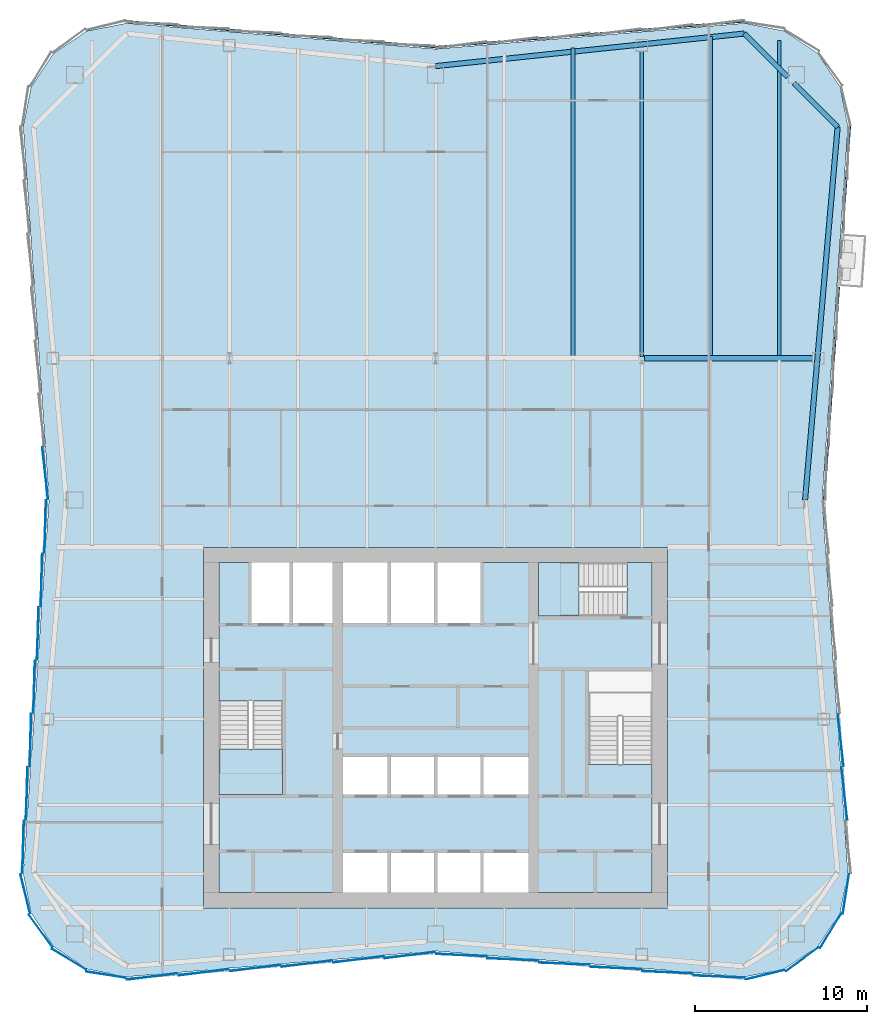
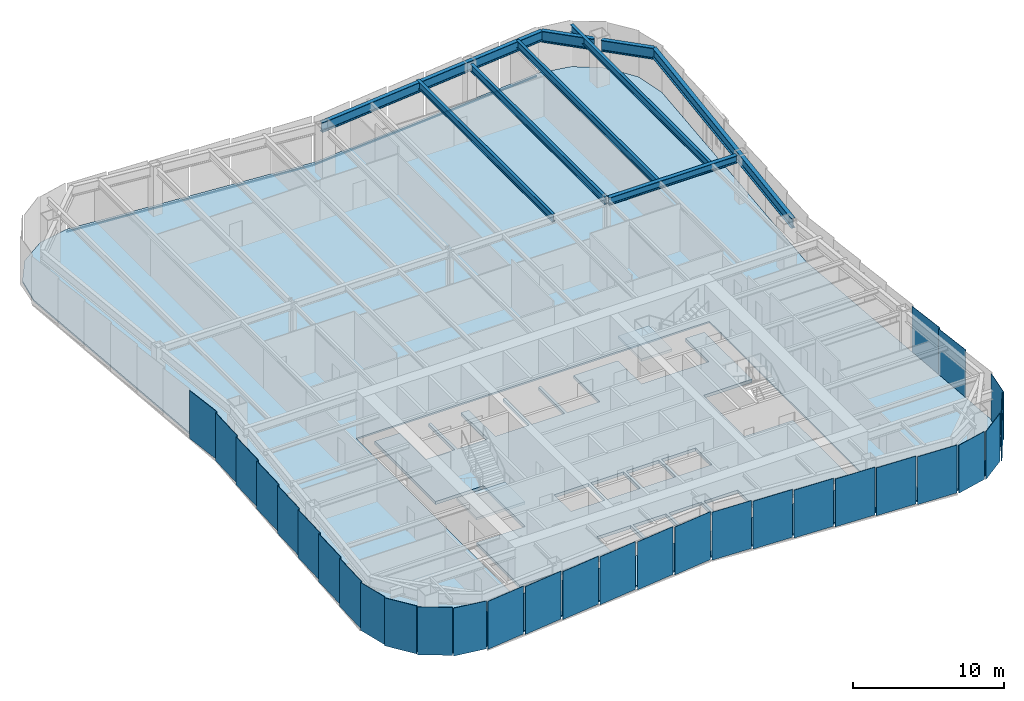
# One storey, part 3 of 10: 30 plates, 9 beams, 4 members, 4 slabs, 8 elements without a shape of their own.
"""IFC4 building model written with IfcOpenShell, lengths in metres."""

from ifc_helpers import new_model, si_unit, direction, frame, origin, origin_2d, place, context, subcontext, project, spatial, polyline, rectangle, i_section, outline, extrude, material, layer, layer_set, material_profile, profile_set, type_object, element, aggregate, save


model = new_model("IFC4")

# Units and contexts
model_context = context("Model", 3, precision=1e-05, world=origin(), true_north=direction((0.0, 1.0)))
body_context = subcontext(model_context, "Body", "Model", "MODEL_VIEW")
ifc_project = project(units=[si_unit("LENGTHUNIT", "METRE"), si_unit("AREAUNIT", "SQUARE_METRE"), si_unit("VOLUMEUNIT", "CUBIC_METRE"), si_unit("PLANEANGLEUNIT", "RADIAN"), si_unit("MASSUNIT", "GRAM", prefix="KILO")], contexts=[model_context])

# Site, building, storey
site_placement = place(None, origin())
site = spatial("IfcSite", under=ifc_project, at=site_placement, CompositionType="ELEMENT")
building_placement = place(site_placement, origin())
building = spatial("IfcBuilding", under=site, at=building_placement, Name="Verdant Reach Tower", CompositionType="ELEMENT")
storey_placement = place(building_placement, frame((0.0, 0.0, 210.0)))
storey = spatial("IfcBuildingStorey", under=building, at=storey_placement, Name="L48", CompositionType="ELEMENT", Elevation=210.0)

# Curtain wall, members
ifc_material_1 = material(Name="Anodised aluminium", Category="aluminium")
curtain_wall_type = type_object("IfcCurtainWallType", Name="EN-CW SYSTEM Z3", PredefinedType="NOTDEFINED", material=ifc_material_1)
curtain_wall_1_placement = place(storey_placement, origin())
curtain_wall_1 = element("IfcCurtainWall", 1, at=curtain_wall_1_placement, inside=storey, type_object=curtain_wall_type, Name="Curtain wall east, L48", PredefinedType="NOTDEFINED")
ifc_material_profile_1 = material_profile(ifc_material_1, rectangle(XDim=0.10009765625, YDim=0.1259765625, at=origin_2d()), Name="Transom 126x100")
ifc_profile_set_1 = profile_set([ifc_material_profile_1], Name="Anodised aluminium")
member_type = type_object("IfcMemberType", Name="EN-TRANSOM Z3", PredefinedType="USERDEFINED", material=ifc_profile_set_1)
member_1_placement = place(storey_placement, frame((22.611328125, 41.282958984375, -0.287109375), z_axis=(0.068819005353, 0.997629161814, 0.0), x_axis=(-0.997629161814, 0.068819005353, 0.0)))
member_1 = element("IfcMember", 2, at=member_1_placement, type_object=member_type, Name="Transom east face part 2 1.1, L48", ObjectType="TRANSOM", PredefinedType="USERDEFINED", context=body_context, shape_type="SweptSolid", body=[
    extrude(rectangle(XDim=0.10009765625, YDim=0.1259765625, at=origin_2d()), origin(), (0.0, 0.0, 1.0), 12.384521484375),
])
member_2_placement = place(storey_placement, frame((23.682373046875, 56.81103515625, -0.287109375), z_axis=(0.068646115672, 0.997641073134, 0.0), x_axis=(-0.997641073134, 0.068646115672, 0.0)))
member_2 = element("IfcMember", 3, at=member_2_placement, type_object=member_type, Name="Transom east face part 2 2.1, L48", ObjectType="TRANSOM", PredefinedType="USERDEFINED", context=body_context, shape_type="SweptSolid", body=[
    extrude(rectangle(XDim=0.10009765625, YDim=0.1259765625, at=origin_2d()), origin(), (0.0, 0.0, 1.0), 6.177734375),
])

curtain_wall_2_placement = place(storey_placement, origin())
curtain_wall_2 = element("IfcCurtainWall", 4, at=curtain_wall_2_placement, inside=storey, type_object=curtain_wall_type, Name="Curtain wall north, L48", PredefinedType="NOTDEFINED")
member_3_placement = place(storey_placement, frame((17.973388671875, 69.106201171875, -0.287109375), z_axis=(-0.996548750467, -0.083009565369, 0.0), x_axis=(0.083009565369, -0.996548750467, 0.0)))
member_3 = element("IfcMember", 5, at=member_3_placement, type_object=member_type, Name="Transom north face part 1 1.1, L48", ObjectType="TRANSOM", PredefinedType="USERDEFINED", context=body_context, shape_type="SweptSolid", body=[
    extrude(rectangle(XDim=0.10009765625, YDim=0.1259765625, at=origin_2d()), origin(), (0.0, 0.0, 1.0), 18.00244140625),
])
member_4_placement = place(storey_placement, frame((-0.032958984375, 67.61181640625, -0.287109375), z_axis=(-0.996548750467, 0.083009565369, 0.0), x_axis=(-0.083009565369, -0.996548750467, 0.0)))
member_4 = element("IfcMember", 6, at=member_4_placement, type_object=member_type, Name="Transom north face part 2 1.1, L48", ObjectType="TRANSOM", PredefinedType="USERDEFINED", context=body_context, shape_type="SweptSolid", body=[
    extrude(rectangle(XDim=0.10009765625, YDim=0.1259765625, at=origin_2d()), origin(), (0.0, 0.0, 1.0), 18.00244140625),
])
aggregate(curtain_wall_2, [member_3, member_4])

# Beams
ifc_material_2 = material(Name="Steel S355", Category="steel")
ifc_material_profile_2 = material_profile(ifc_material_2, i_section(OverallWidth=0.300048828125, OverallDepth=0.60009765625, WebThickness=0.015380859375, FlangeThickness=0.030029296875, FilletRadius=0.027099609375, at=origin_2d()), Name="HEB 600")
ifc_profile_set_2 = profile_set([ifc_material_profile_2], Name="Steel S355")
beam_type_1 = type_object("IfcBeamType", Name="ST-BEAM-HEB600", PredefinedType="BEAM", material=ifc_profile_set_2)
beam_1_placement = place(storey_placement, frame((12.152587890625, 49.5, 3.570068359375), z_axis=(1.0, 0.0, 0.0), x_axis=(0.0, 1.0, 0.0)))
element("IfcBeam", 7, at=beam_1_placement, inside=storey, type_object=beam_type_1, Name="Row girder, L48", PredefinedType="BEAM", context=body_context, shape_type="SweptSolid", body=[
    extrude(i_section(OverallWidth=0.300048828125, OverallDepth=0.60009765625, WebThickness=0.015380859375, FlangeThickness=0.030029296875, FilletRadius=0.027099609375, at=origin_2d()), origin(), (0.0, 0.0, 1.0), 9.766357421875),
])
ifc_material_profile_3 = material_profile(ifc_material_2, i_section(OverallWidth=0.219970703125, OverallDepth=0.60009765625, WebThickness=0.011962890625, FlangeThickness=0.01904296875, FilletRadius=0.02392578125, at=origin_2d()), Name="IPE 600")
ifc_profile_set_3 = profile_set([ifc_material_profile_3], Name="Steel S355")
beam_type_2 = type_object("IfcBeamType", Name="ST-JOIST-IPE600", PredefinedType="JOIST", material=ifc_profile_set_3)
beam_2_placement = place(storey_placement, frame((8.0, 49.60009765625, 3.570068359375), z_axis=(0.0, 1.0, 0.0), x_axis=(-1.0, 0.0, 0.0)))
element("IfcBeam", 8, at=beam_2_placement, inside=storey, type_object=beam_type_2, Name="Floor joist, L48", PredefinedType="JOIST", context=body_context, shape_type="SweptSolid", body=[
    extrude(i_section(OverallWidth=0.219970703125, OverallDepth=0.60009765625, WebThickness=0.011962890625, FlangeThickness=0.01904296875, FilletRadius=0.02392578125, at=origin_2d()), origin(), (0.0, 0.0, 1.0), 17.964599609375),
])
beam_3_placement = place(storey_placement, frame((12.0, 49.60009765625, 3.570068359375), z_axis=(0.0, 1.0, 0.0), x_axis=(-1.0, 0.0, 0.0)))
element("IfcBeam", 9, at=beam_3_placement, inside=storey, type_object=beam_type_2, Name="Floor joist, L48", PredefinedType="JOIST", context=body_context, shape_type="SweptSolid", body=[
    extrude(i_section(OverallWidth=0.219970703125, OverallDepth=0.60009765625, WebThickness=0.011962890625, FlangeThickness=0.01904296875, FilletRadius=0.02392578125, at=origin_2d()), origin(), (0.0, 0.0, 1.0), 17.75),
])
beam_4_placement = place(storey_placement, frame((16.0, 49.60009765625, 3.570068359375), z_axis=(0.0, 1.0, 0.0), x_axis=(-1.0, 0.0, 0.0)))
element("IfcBeam", 10, at=beam_4_placement, inside=storey, type_object=beam_type_2, Name="Floor joist, L48", PredefinedType="JOIST", context=body_context, shape_type="SweptSolid", body=[
    extrude(i_section(OverallWidth=0.219970703125, OverallDepth=0.60009765625, WebThickness=0.011962890625, FlangeThickness=0.01904296875, FilletRadius=0.02392578125, at=origin_2d()), origin(), (0.0, 0.0, 1.0), 18.631103515625),
])
beam_5_placement = place(storey_placement, frame((20.0, 49.60009765625, 3.570068359375), z_axis=(0.0, 1.0, 0.0), x_axis=(-1.0, 0.0, 0.0)))
element("IfcBeam", 11, at=beam_5_placement, inside=storey, type_object=beam_type_2, Name="Floor joist, L48", PredefinedType="JOIST", context=body_context, shape_type="SweptSolid", body=[
    extrude(i_section(OverallWidth=0.219970703125, OverallDepth=0.60009765625, WebThickness=0.011962890625, FlangeThickness=0.01904296875, FilletRadius=0.02392578125, at=origin_2d()), origin(), (0.0, 0.0, 1.0), 18.390380859375),
])
ifc_material_profile_4 = material_profile(ifc_material_2, i_section(OverallWidth=0.300048828125, OverallDepth=0.800048828125, WebThickness=0.017578125, FlangeThickness=0.032958984375, FilletRadius=0.030029296875, at=origin_2d()), Name="HEB 800")
ifc_profile_set_4 = profile_set([ifc_material_profile_4], Name="Steel S355")
beam_type_3 = type_object("IfcBeamType", Name="ST-SPANDREL-HEB800", PredefinedType="SPANDREL", material=ifc_profile_set_4)
beam_6_placement = place(storey_placement, frame((0.0, 66.5, 3.469970703125), z_axis=(0.994483067002, 0.104897232783, 0.0), x_axis=(-0.104897232783, 0.994483067002, 0.0)))
element("IfcBeam", 12, at=beam_6_placement, inside=storey, type_object=beam_type_3, Name="Edge beam, L48", PredefinedType="SPANDREL", context=body_context, shape_type="SweptSolid", body=[
    extrude(i_section(OverallWidth=0.300048828125, OverallDepth=0.800048828125, WebThickness=0.017578125, FlangeThickness=0.032958984375, FilletRadius=0.030029296875, at=origin_2d()), origin(), (0.0, 0.0, 1.0), 18.0654296875),
])
beam_7_placement = place(storey_placement, frame((23.39599609375, 62.96142578125, 3.469970703125), z_axis=(-0.086996024331, -0.996208658741, 0.0), x_axis=(0.996208658741, -0.086996024331, 0.0)))
element("IfcBeam", 13, at=beam_7_placement, inside=storey, type_object=beam_type_3, Name="Edge beam, L48", PredefinedType="SPANDREL", context=body_context, shape_type="SweptSolid", body=[
    extrude(i_section(OverallWidth=0.300048828125, OverallDepth=0.800048828125, WebThickness=0.017578125, FlangeThickness=0.032958984375, FilletRadius=0.030029296875, at=origin_2d()), origin(), (0.0, 0.0, 1.0), 21.7939453125),
])
ifc_material_profile_5 = material_profile(ifc_material_2, i_section(OverallWidth=0.302001953125, OverallDepth=0.909912109375, WebThickness=0.02099609375, FlangeThickness=0.0400390625, FilletRadius=0.030029296875, at=origin_2d()), Name="HEM 900")
ifc_profile_set_5 = profile_set([ifc_material_profile_5], Name="Steel S355")
beam_type_4 = type_object("IfcBeamType", Name="ST-SPANDREL-HEM900", PredefinedType="SPANDREL", material=ifc_profile_set_5)
beam_8_placement = place(storey_placement, frame((17.9658203125, 68.39501953125, 3.4150390625), z_axis=(0.706868394255, -0.707345087777, 0.0), x_axis=(0.707345087777, 0.706868394255, 0.0)))
element("IfcBeam", 14, at=beam_8_placement, inside=storey, type_object=beam_type_4, Name="Edge beam, L48", PredefinedType="SPANDREL", context=body_context, shape_type="SweptSolid", body=[
    extrude(i_section(OverallWidth=0.302001953125, OverallDepth=0.909912109375, WebThickness=0.02099609375, FlangeThickness=0.0400390625, FilletRadius=0.030029296875, at=origin_2d()), origin(), (0.0, 0.0, 1.0), 3.5849609375),
])
beam_9_placement = place(storey_placement, frame((20.85888671875, 65.5, 3.4150390625), z_axis=(0.706902680526, -0.707310822952, 0.0), x_axis=(0.707310822952, 0.706902680526, 0.0)))
element("IfcBeam", 15, at=beam_9_placement, inside=storey, type_object=beam_type_4, Name="Edge beam, L48", PredefinedType="SPANDREL", context=body_context, shape_type="SweptSolid", body=[
    extrude(i_section(OverallWidth=0.302001953125, OverallDepth=0.909912109375, WebThickness=0.02099609375, FlangeThickness=0.0400390625, FilletRadius=0.030029296875, at=origin_2d()), origin(), (0.0, 0.0, 1.0), 3.589111328125),
])

# Stair, slab
ifc_material_3 = material(Name="Concrete C40/50", Category="concrete")
stair_type = type_object("IfcStairType", Name="CO-STAIR", PredefinedType="HALF_TURN_STAIR", material=ifc_material_3)
stair_1_placement = place(storey_placement, origin())
stair_1 = element("IfcStair", 16, at=stair_1_placement, inside=storey, type_object=stair_type, Name="L48 Exit stair 1", PredefinedType="HALF_TURN_STAIR")
ifc_layer_1 = layer(ifc_material_3, 0.199951171875)
ifc_layer_set_1 = layer_set([ifc_layer_1], Name="CO-STAIR-LANDING")
slab_type_1 = type_object("IfcSlabType", Name="CO-STAIR-LANDING", PredefinedType="LANDING", material=ifc_layer_set_1)
slab_1_placement = place(storey_placement, frame((0.0, 0.0, 1.800048828125)))
slab_1 = element("IfcSlab", 17, at=slab_1_placement, type_object=slab_type_1, Name="ST-1 landing 1", PredefinedType="LANDING", context=body_context, shape_type="SweptSolid", body=[
    extrude(outline(polyline([(-12.60009765625, 26.75), (-12.60009765625, 24.10009765625), (-8.89990234375, 24.10009765625), (-8.89990234375, 26.75), (-12.60009765625, 26.75)])), origin(), (0.0, 0.0, 1.0), 0.199951171875),
])
aggregate(stair_1, [slab_1])

stair_2_placement = place(storey_placement, origin())
stair_2 = element("IfcStair", 18, at=stair_2_placement, inside=storey, type_object=stair_type, Name="L48 Exit stair 3", PredefinedType="HALF_TURN_STAIR")
slab_2_placement = place(storey_placement, frame((0.0, 0.0, 1.800048828125)))
slab_2 = element("IfcSlab", 19, at=slab_2_placement, type_object=slab_type_1, Name="ST-3 landing 1", PredefinedType="LANDING", context=body_context, shape_type="SweptSolid", body=[
    extrude(outline(polyline([(8.35009765625, 37.60009765625), (6.0, 37.60009765625), (6.0, 34.5), (8.35009765625, 34.5), (8.35009765625, 37.60009765625)])), origin(), (0.0, 0.0, 1.0), 0.199951171875),
])
aggregate(stair_2, [slab_2])

# Curtain wall, plate
curtain_wall_3_placement = place(storey_placement, origin())
curtain_wall_3 = element("IfcCurtainWall", 20, at=curtain_wall_3_placement, inside=storey, type_object=curtain_wall_type, Name="Curtain wall south-east corner, L48", PredefinedType="NOTDEFINED")
ifc_material_4 = material(Name="Tinted glass with champagne spandrel", Category="glass")
ifc_layer_2 = layer(ifc_material_4, 0.031982421875)
ifc_layer_set_2 = layer_set([ifc_layer_2], Name="EN-PANEL CHAMPAGNE")
plate_type_1 = type_object("IfcPlateType", Name="EN-PANEL CHAMPAGNE", PredefinedType="CURTAIN_PANEL", material=ifc_layer_set_2)
plate_1_placement = place(storey_placement, frame((19.171875, 13.62353515625, -0.22412109375), z_axis=(0.0, 0.0, 1.0), x_axis=(0.971655117833, 0.236402901821, 0.0)))
plate_1 = element("IfcPlate", 21, at=plate_1_placement, type_object=plate_type_1, Name="Glass panel south-east corner 1.1, L48", PredefinedType="CURTAIN_PANEL", context=body_context, shape_type="SweptSolid", body=[
    extrude(rectangle(XDim=2.3154296875, YDim=0.031982421875, at=origin_2d()), origin(), (0.0, 0.0, 1.0), 3.8740234375),
])

# Curtain wall, plates
curtain_wall_4_placement = place(storey_placement, origin())
curtain_wall_4 = element("IfcCurtainWall", 22, at=curtain_wall_4_placement, inside=storey, type_object=curtain_wall_type, Name="Curtain wall west, L48", PredefinedType="NOTDEFINED")
plate_2_placement = place(storey_placement, frame((-23.14453125, 33.48974609375, -0.22412109375), z_axis=(0.0, 0.0, 1.0), x_axis=(-0.026965318308, -0.999636369691, 0.0)))
plate_2 = element("IfcPlate", 23, at=plate_2_placement, type_object=plate_type_1, Name="Glass panel west face part 2 3.1, L48", PredefinedType="CURTAIN_PANEL", context=body_context, shape_type="SweptSolid", body=[
    extrude(rectangle(XDim=3.052490234375, YDim=0.031982421875, at=origin_2d()), origin(), (0.0, 0.0, 1.0), 3.8740234375),
])
plate_3_placement = place(storey_placement, frame((-23.358642578125, 30.382568359375, -0.22412109375), z_axis=(0.0, 0.0, 1.0), x_axis=(-0.026965318308, -0.999636369691, 0.0)))
plate_3 = element("IfcPlate", 24, at=plate_3_placement, type_object=plate_type_1, Name="Glass panel west face part 2 4.1, L48", PredefinedType="CURTAIN_PANEL", context=body_context, shape_type="SweptSolid", body=[
    extrude(rectangle(XDim=3.052490234375, YDim=0.031982421875, at=origin_2d()), origin(), (0.0, 0.0, 1.0), 3.8740234375),
])
plate_4_placement = place(storey_placement, frame((-23.572998046875, 27.275390625, -0.22412109375), z_axis=(0.0, 0.0, 1.0), x_axis=(-0.026965318308, -0.999636369691, 0.0)))
plate_4 = element("IfcPlate", 25, at=plate_4_placement, type_object=plate_type_1, Name="Glass panel west face part 2 5.1, L48", PredefinedType="CURTAIN_PANEL", context=body_context, shape_type="SweptSolid", body=[
    extrude(rectangle(XDim=3.052490234375, YDim=0.031982421875, at=origin_2d()), origin(), (0.0, 0.0, 1.0), 3.8740234375),
])

curtain_wall_5_placement = place(storey_placement, origin())
curtain_wall_5 = element("IfcCurtainWall", 26, at=curtain_wall_5_placement, inside=storey, type_object=curtain_wall_type, Name="Curtain wall south-west corner, L48", PredefinedType="NOTDEFINED")
plate_5_placement = place(storey_placement, frame((-22.98193359375, 16.171142578125, -0.22412109375), z_axis=(0.0, 0.0, 1.0), x_axis=(0.589926747542, -0.807456768214, 0.0)))
plate_5 = element("IfcPlate", 27, at=plate_5_placement, type_object=plate_type_1, Name="Glass panel south-west corner 2.1, L48", PredefinedType="CURTAIN_PANEL", context=body_context, shape_type="SweptSolid", body=[
    extrude(rectangle(XDim=2.321533203125, YDim=0.031982421875, at=origin_2d()), origin(), (0.0, 0.0, 1.0), 3.8740234375),
])
plate_6_placement = place(storey_placement, frame((-21.328857421875, 14.51806640625, -0.22412109375), z_axis=(0.0, 0.0, 1.0), x_axis=(0.853988701636, -0.520291550457, 0.0)))
plate_6 = element("IfcPlate", 28, at=plate_6_placement, type_object=plate_type_1, Name="Glass panel south-west corner 3.1, L48", PredefinedType="CURTAIN_PANEL", context=body_context, shape_type="SweptSolid", body=[
    extrude(rectangle(XDim=2.321533203125, YDim=0.031982421875, at=origin_2d()), origin(), (0.0, 0.0, 1.0), 3.8740234375),
])

curtain_wall_6_placement = place(storey_placement, origin())
curtain_wall_6 = element("IfcCurtainWall", 29, at=curtain_wall_6_placement, inside=storey, type_object=curtain_wall_type, Name="Curtain wall south, L48", PredefinedType="NOTDEFINED")
plate_7_placement = place(storey_placement, frame((-16.49853515625, 13.516357421875, -0.22412109375), z_axis=(0.0, 0.0, 1.0), x_axis=(0.992237766434, 0.124355196363, 0.0)))
plate_7 = element("IfcPlate", 30, at=plate_7_placement, type_object=plate_type_1, Name="Glass panel south face part 1 1.1, L48", PredefinedType="CURTAIN_PANEL", context=body_context, shape_type="SweptSolid", body=[
    extrude(rectangle(XDim=2.963623046875, YDim=0.031982421875, at=origin_2d()), origin(), (0.0, 0.0, 1.0), 3.8740234375),
])
plate_8_placement = place(storey_placement, frame((1.495361328125, 14.76611328125, -0.22412109375), z_axis=(0.0, 0.0, 1.0), x_axis=(0.999144020525, -0.041366970501, 0.0)))
plate_8 = element("IfcPlate", 31, at=plate_8_placement, type_object=plate_type_1, Name="Glass panel south face part 2 1.1, L48", PredefinedType="CURTAIN_PANEL", context=body_context, shape_type="SweptSolid", body=[
    extrude(rectangle(XDim=2.939453125, YDim=0.031982421875, at=origin_2d()), origin(), (0.0, 0.0, 1.0), 3.8740234375),
])
plate_9_placement = place(storey_placement, frame((4.490966796875, 14.516357421875, -0.22412109375), z_axis=(0.0, 0.0, 1.0), x_axis=(0.999149202059, -0.041241629766, 0.0)))
plate_9 = element("IfcPlate", 32, at=plate_9_placement, type_object=plate_type_1, Name="Glass panel south face part 2 2.1, L48", PredefinedType="CURTAIN_PANEL", context=body_context, shape_type="SweptSolid", body=[
    extrude(rectangle(XDim=2.948486328125, YDim=0.031982421875, at=origin_2d()), origin(), (0.0, 0.0, 1.0), 3.8740234375),
])

# Plate
ifc_material_5 = material(Name="Tinted glass with copper spandrel", Category="glass")
ifc_layer_3 = layer(ifc_material_5, 0.031982421875)
ifc_layer_set_3 = layer_set([ifc_layer_3], Name="EN-PANEL COPPER")
plate_type_2 = type_object("IfcPlateType", Name="EN-PANEL COPPER", PredefinedType="CURTAIN_PANEL", material=ifc_layer_set_3)
plate_10_placement = place(storey_placement, frame((21.328857421875, 14.51806640625, -0.22412109375), z_axis=(0.0, 0.0, 1.0), x_axis=(0.807456768214, 0.589926747542, 0.0)))
plate_10 = element("IfcPlate", 33, at=plate_10_placement, type_object=plate_type_2, Name="Glass panel south-east corner 2.1, L48", PredefinedType="CURTAIN_PANEL", context=body_context, shape_type="SweptSolid", body=[
    extrude(rectangle(XDim=2.321533203125, YDim=0.031982421875, at=origin_2d()), origin(), (0.0, 0.0, 1.0), 3.8740234375),
])

plate_11_placement = place(storey_placement, frame((22.98193359375, 16.171142578125, -0.22412109375), z_axis=(0.0, 0.0, 1.0), x_axis=(0.520291550457, 0.853988701636, 0.0)))
plate_11 = element("IfcPlate", 34, at=plate_11_placement, type_object=plate_type_2, Name="Glass panel south-east corner 3.1, L48", PredefinedType="CURTAIN_PANEL", context=body_context, shape_type="SweptSolid", body=[
    extrude(rectangle(XDim=2.321533203125, YDim=0.031982421875, at=origin_2d()), origin(), (0.0, 0.0, 1.0), 3.8740234375),
])

plate_12_placement = place(storey_placement, frame((23.787353515625, 24.168212890625, -0.22412109375), z_axis=(0.0, 0.0, 1.0), x_axis=(-0.110518162674, 0.993874104562, 0.0)))
plate_12 = element("IfcPlate", 35, at=plate_12_placement, type_object=plate_type_2, Name="Glass panel east face part 1 2.1, L48", PredefinedType="CURTAIN_PANEL", context=body_context, shape_type="SweptSolid", body=[
    extrude(rectangle(XDim=3.052490234375, YDim=0.031982421875, at=origin_2d()), origin(), (0.0, 0.0, 1.0), 3.8740234375),
])

plate_13_placement = place(storey_placement, frame((-23.787353515625, 24.168212890625, -0.22412109375), z_axis=(0.0, 0.0, 1.0), x_axis=(-0.026965318308, -0.999636369691, 0.0)))
plate_13 = element("IfcPlate", 36, at=plate_13_placement, type_object=plate_type_2, Name="Glass panel west face part 2 6.1, L48", PredefinedType="CURTAIN_PANEL", context=body_context, shape_type="SweptSolid", body=[
    extrude(rectangle(XDim=3.052490234375, YDim=0.031982421875, at=origin_2d()), origin(), (0.0, 0.0, 1.0), 3.8740234375),
])

plate_14_placement = place(storey_placement, frame((-24.001708984375, 21.053955078125, -0.22412109375), z_axis=(0.0, 0.0, 1.0), x_axis=(-0.026659626966, -0.999644568979, 0.0)))
plate_14 = element("IfcPlate", 37, at=plate_14_placement, type_object=plate_type_2, Name="Glass panel west face part 2 7.1, L48", PredefinedType="CURTAIN_PANEL", context=body_context, shape_type="SweptSolid", body=[
    extrude(rectangle(XDim=3.06689453125, YDim=0.031982421875, at=origin_2d()), origin(), (0.0, 0.0, 1.0), 3.8740234375),
])

plate_15_placement = place(storey_placement, frame((-19.171875, 13.62353515625, -0.22412109375), z_axis=(0.0, 0.0, 1.0), x_axis=(0.988029071555, -0.154267798848, 0.0)))
plate_15 = element("IfcPlate", 38, at=plate_15_placement, type_object=plate_type_2, Name="Glass panel south-west corner 4.1, L48", PredefinedType="CURTAIN_PANEL", context=body_context, shape_type="SweptSolid", body=[
    extrude(rectangle(XDim=2.3154296875, YDim=0.031982421875, at=origin_2d()), origin(), (0.0, 0.0, 1.0), 3.8740234375),
])

plate_16_placement = place(storey_placement, frame((-13.490966796875, 13.766357421875, -0.22412109375), z_axis=(0.0, 0.0, 1.0), x_axis=(0.992194034542, 0.124703639961, 0.0)))
plate_16 = element("IfcPlate", 39, at=plate_16_placement, type_object=plate_type_2, Name="Glass panel south face part 1 2.1, L48", PredefinedType="CURTAIN_PANEL", context=body_context, shape_type="SweptSolid", body=[
    extrude(rectangle(XDim=2.948486328125, YDim=0.031982421875, at=origin_2d()), origin(), (0.0, 0.0, 1.0), 3.8740234375),
])

plate_17_placement = place(storey_placement, frame((-10.490966796875, 14.016357421875, -0.22412109375), z_axis=(0.0, 0.0, 1.0), x_axis=(0.992194034542, 0.124703639961, 0.0)))
plate_17 = element("IfcPlate", 40, at=plate_17_placement, type_object=plate_type_2, Name="Glass panel south face part 1 3.1, L48", PredefinedType="CURTAIN_PANEL", context=body_context, shape_type="SweptSolid", body=[
    extrude(rectangle(XDim=2.948486328125, YDim=0.031982421875, at=origin_2d()), origin(), (0.0, 0.0, 1.0), 3.8740234375),
])

plate_18_placement = place(storey_placement, frame((7.490966796875, 14.266357421875, -0.22412109375), z_axis=(0.0, 0.0, 1.0), x_axis=(0.999149202059, -0.041241629766, 0.0)))
plate_18 = element("IfcPlate", 41, at=plate_18_placement, type_object=plate_type_2, Name="Glass panel south face part 2 3.1, L48", PredefinedType="CURTAIN_PANEL", context=body_context, shape_type="SweptSolid", body=[
    extrude(rectangle(XDim=2.948486328125, YDim=0.031982421875, at=origin_2d()), origin(), (0.0, 0.0, 1.0), 3.8740234375),
])

plate_19_placement = place(storey_placement, frame((10.490966796875, 14.016357421875, -0.22412109375), z_axis=(0.0, 0.0, 1.0), x_axis=(0.999149202059, -0.041241629766, 0.0)))
plate_19 = element("IfcPlate", 42, at=plate_19_placement, type_object=plate_type_2, Name="Glass panel south face part 2 4.1, L48", PredefinedType="CURTAIN_PANEL", context=body_context, shape_type="SweptSolid", body=[
    extrude(rectangle(XDim=2.948486328125, YDim=0.031982421875, at=origin_2d()), origin(), (0.0, 0.0, 1.0), 3.8740234375),
])

plate_20_placement = place(storey_placement, frame((13.490966796875, 13.766357421875, -0.22412109375), z_axis=(0.0, 0.0, 1.0), x_axis=(0.999149202059, -0.041241629766, 0.0)))
plate_20 = element("IfcPlate", 43, at=plate_20_placement, type_object=plate_type_2, Name="Glass panel south face part 2 5.1, L48", PredefinedType="CURTAIN_PANEL", context=body_context, shape_type="SweptSolid", body=[
    extrude(rectangle(XDim=2.948486328125, YDim=0.031982421875, at=origin_2d()), origin(), (0.0, 0.0, 1.0), 3.8740234375),
])

ifc_material_6 = material(Name="Tinted glass with dark bronze spandrel", Category="glass")
ifc_layer_4 = layer(ifc_material_6, 0.031982421875)
ifc_layer_set_4 = layer_set([ifc_layer_4], Name="EN-PANEL DARK")
plate_type_3 = type_object("IfcPlateType", Name="EN-PANEL DARK", PredefinedType="CURTAIN_PANEL", material=ifc_layer_set_4)
plate_21_placement = place(storey_placement, frame((23.87646484375, 18.32763671875, -0.22412109375), z_axis=(0.0, 0.0, 1.0), x_axis=(0.154311870796, 0.988022189291, 0.0)))
plate_21 = element("IfcPlate", 44, at=plate_21_placement, type_object=plate_type_3, Name="Glass panel south-east corner 4.1, L48", PredefinedType="CURTAIN_PANEL", context=body_context, shape_type="SweptSolid", body=[
    extrude(rectangle(XDim=2.314697265625, YDim=0.031982421875, at=origin_2d()), origin(), (0.0, 0.0, 1.0), 3.8740234375),
])

aggregate(curtain_wall_3, [plate_1, plate_10, plate_11, plate_21])

plate_22_placement = place(storey_placement, frame((23.572998046875, 27.275390625, -0.22412109375), z_axis=(0.0, 0.0, 1.0), x_axis=(-0.110518162674, 0.993874104562, 0.0)))
plate_22 = element("IfcPlate", 45, at=plate_22_placement, type_object=plate_type_3, Name="Glass panel east face part 1 3.1, L48", PredefinedType="CURTAIN_PANEL", context=body_context, shape_type="SweptSolid", body=[
    extrude(rectangle(XDim=3.052490234375, YDim=0.031982421875, at=origin_2d()), origin(), (0.0, 0.0, 1.0), 3.8740234375),
])

aggregate(curtain_wall_1, [plate_12, plate_22, member_1, member_2])

plate_23_placement = place(storey_placement, frame((-22.716064453125, 42.7998046875, -0.22412109375), z_axis=(0.0, 0.0, 1.0), x_axis=(0.110600785385, -0.993864913493, 0.0)))
plate_23 = element("IfcPlate", 46, at=plate_23_placement, type_object=plate_type_3, Name="Glass panel west face part 1 7.1, L48", PredefinedType="CURTAIN_PANEL", context=body_context, shape_type="SweptSolid", body=[
    extrude(rectangle(XDim=3.044921875, YDim=0.031982421875, at=origin_2d()), origin(), (0.0, 0.0, 1.0), 3.8740234375),
])

plate_24_placement = place(storey_placement, frame((-22.716064453125, 39.7001953125, -0.22412109375), z_axis=(0.0, 0.0, 1.0), x_axis=(-0.027048420339, -0.999634124546, 0.0)))
plate_24 = element("IfcPlate", 47, at=plate_24_placement, type_object=plate_type_3, Name="Glass panel west face part 2 1.1, L48", PredefinedType="CURTAIN_PANEL", context=body_context, shape_type="SweptSolid", body=[
    extrude(rectangle(XDim=3.044921875, YDim=0.031982421875, at=origin_2d()), origin(), (0.0, 0.0, 1.0), 3.8740234375),
])

plate_25_placement = place(storey_placement, frame((-22.93017578125, 36.5966796875, -0.22412109375), z_axis=(0.0, 0.0, 1.0), x_axis=(-0.026965318308, -0.999636369691, 0.0)))
plate_25 = element("IfcPlate", 48, at=plate_25_placement, type_object=plate_type_3, Name="Glass panel west face part 2 2.1, L48", PredefinedType="CURTAIN_PANEL", context=body_context, shape_type="SweptSolid", body=[
    extrude(rectangle(XDim=3.052490234375, YDim=0.031982421875, at=origin_2d()), origin(), (0.0, 0.0, 1.0), 3.8740234375),
])

aggregate(curtain_wall_4, [plate_23, plate_24, plate_25, plate_2, plate_3, plate_4, plate_13, plate_14])

plate_26_placement = place(storey_placement, frame((-23.87646484375, 18.32763671875, -0.22412109375), z_axis=(0.0, 0.0, 1.0), x_axis=(0.23644624331, -0.97164457186, 0.0)))
plate_26 = element("IfcPlate", 49, at=plate_26_placement, type_object=plate_type_3, Name="Glass panel south-west corner 1.1, L48", PredefinedType="CURTAIN_PANEL", context=body_context, shape_type="SweptSolid", body=[
    extrude(rectangle(XDim=2.314697265625, YDim=0.031982421875, at=origin_2d()), origin(), (0.0, 0.0, 1.0), 3.8740234375),
])

aggregate(curtain_wall_5, [plate_26, plate_5, plate_6, plate_15])

plate_27_placement = place(storey_placement, frame((-7.490966796875, 14.266357421875, -0.22412109375), z_axis=(0.0, 0.0, 1.0), x_axis=(0.992194034542, 0.124703639961, 0.0)))
plate_27 = element("IfcPlate", 50, at=plate_27_placement, type_object=plate_type_3, Name="Glass panel south face part 1 4.1, L48", PredefinedType="CURTAIN_PANEL", context=body_context, shape_type="SweptSolid", body=[
    extrude(rectangle(XDim=2.948486328125, YDim=0.031982421875, at=origin_2d()), origin(), (0.0, 0.0, 1.0), 3.8740234375),
])

plate_28_placement = place(storey_placement, frame((-4.490966796875, 14.516357421875, -0.22412109375), z_axis=(0.0, 0.0, 1.0), x_axis=(0.992194034542, 0.124703639961, 0.0)))
plate_28 = element("IfcPlate", 51, at=plate_28_placement, type_object=plate_type_3, Name="Glass panel south face part 1 5.1, L48", PredefinedType="CURTAIN_PANEL", context=body_context, shape_type="SweptSolid", body=[
    extrude(rectangle(XDim=2.948486328125, YDim=0.031982421875, at=origin_2d()), origin(), (0.0, 0.0, 1.0), 3.8740234375),
])

plate_29_placement = place(storey_placement, frame((-1.495361328125, 14.76611328125, -0.22412109375), z_axis=(0.0, 0.0, 1.0), x_axis=(0.992178382939, 0.124828107529, 0.0)))
plate_29 = element("IfcPlate", 52, at=plate_29_placement, type_object=plate_type_3, Name="Glass panel south face part 1 6.1, L48", PredefinedType="CURTAIN_PANEL", context=body_context, shape_type="SweptSolid", body=[
    extrude(rectangle(XDim=2.939453125, YDim=0.031982421875, at=origin_2d()), origin(), (0.0, 0.0, 1.0), 3.8740234375),
])

plate_30_placement = place(storey_placement, frame((16.49853515625, 13.516357421875, -0.22412109375), z_axis=(0.0, 0.0, 1.0), x_axis=(0.999163623568, -0.040890748818, 0.0)))
plate_30 = element("IfcPlate", 53, at=plate_30_placement, type_object=plate_type_3, Name="Glass panel south face part 2 6.1, L48", PredefinedType="CURTAIN_PANEL", context=body_context, shape_type="SweptSolid", body=[
    extrude(rectangle(XDim=2.963623046875, YDim=0.031982421875, at=origin_2d()), origin(), (0.0, 0.0, 1.0), 3.8740234375),
])

aggregate(curtain_wall_6, [plate_7, plate_16, plate_17, plate_27, plate_28, plate_29, plate_8, plate_9, plate_18, plate_19, plate_20, plate_30])

# Slabs
ifc_material_7 = material(Name="Concrete C35/45", Category="concrete")
ifc_layer_5 = layer(ifc_material_7, 0.1298828125)
ifc_layer_set_5 = layer_set([ifc_layer_5], Name="ST-SLAB-130")
slab_type_2 = type_object("IfcSlabType", Name="ST-SLAB-130", PredefinedType="FLOOR", material=ifc_layer_set_5)
slab_3_placement = place(storey_placement, frame((0.0, 0.0, -0.1298828125)))
element("IfcSlab", 54, at=slab_3_placement, inside=storey, type_object=slab_type_2, Name="Floor slab L48", PredefinedType="FLOOR", context=body_context, shape_type="SweptSolid", body=[
    extrude(outline(polyline([(0.0, 15.0), (-18.0, 13.5), (-20.296142578125, 13.956787109375), (-22.24267578125, 15.25732421875), (-23.543212890625, 17.203857421875), (-24.0, 19.5), (-22.5, 41.25), (-24.0, 63.0), (-23.543212890625, 65.296142578125), (-22.24267578125, 67.24267578125), (-20.296142578125, 68.543212890625), (-18.0, 69.0), (0.0, 67.5), (18.0, 69.0), (20.296142578125, 68.543212890625), (22.24267578125, 67.24267578125), (23.543212890625, 65.296142578125), (24.0, 63.0), (22.5, 41.25), (24.0, 19.5), (23.543212890625, 17.203857421875), (22.24267578125, 15.25732421875), (20.296142578125, 13.956787109375), (18.0, 13.5), (0.0, 15.0)]), holes=[polyline([(13.5, 38.5), (-13.5, 38.5), (-13.5, 17.5), (13.5, 17.5), (13.5, 38.5)])]), origin(), (0.0, 0.0, 1.0), 0.1298828125),
])
ifc_layer_6 = layer(ifc_material_7, 0.25)
ifc_layer_set_6 = layer_set([ifc_layer_6], Name="ST-SLAB-250")
slab_type_3 = type_object("IfcSlabType", Name="ST-SLAB-250", PredefinedType="FLOOR", material=ifc_layer_set_6)
slab_4_placement = place(storey_placement, frame((0.0, 0.0, -0.25)))
element("IfcSlab", 55, at=slab_4_placement, inside=storey, type_object=slab_type_3, Name="Core floor slab L48", PredefinedType="FLOOR", context=body_context, shape_type="SweptSolid", body=[
    extrude(outline(polyline([(12.60009765625, 18.39990234375), (5.39990234375, 18.39990234375), (5.39990234375, 20.699951171875), (2.800048828125, 20.699951171875), (2.800048828125, 18.39990234375), (2.60009765625, 18.39990234375), (2.60009765625, 20.699951171875), (0.10009765625, 20.699951171875), (0.10009765625, 18.39990234375), (-0.10009765625, 18.39990234375), (-0.10009765625, 20.699951171875), (-2.60009765625, 20.699951171875), (-2.60009765625, 18.39990234375), (-2.800048828125, 18.39990234375), (-2.800048828125, 20.699951171875), (-5.39990234375, 20.699951171875), (-5.39990234375, 18.39990234375), (-12.60009765625, 18.39990234375), (-12.60009765625, 24.10009765625), (-8.89990234375, 24.10009765625), (-8.89990234375, 29.548095703125), (-12.60009765625, 29.548095703125), (-12.60009765625, 37.60009765625), (-10.699951171875, 37.60009765625), (-10.699951171875, 34.10009765625), (-8.5, 34.10009765625), (-8.5, 37.60009765625), (-8.300048828125, 37.60009765625), (-8.300048828125, 34.10009765625), (-6.0, 34.10009765625), (-6.0, 37.60009765625), (-5.39990234375, 37.60009765625), (-5.39990234375, 34.10009765625), (-2.800048828125, 34.10009765625), (-2.800048828125, 37.60009765625), (-2.60009765625, 37.60009765625), (-2.60009765625, 34.10009765625), (-0.10009765625, 34.10009765625), (-0.10009765625, 37.60009765625), (0.10009765625, 37.60009765625), (0.10009765625, 34.10009765625), (2.60009765625, 34.10009765625), (2.60009765625, 37.60009765625), (6.0, 37.60009765625), (6.0, 34.5), (11.14794921875, 34.5), (11.14794921875, 37.60009765625), (12.60009765625, 37.60009765625), (12.60009765625, 31.300048828125), (8.89990234375, 31.300048828125), (8.89990234375, 25.85205078125), (12.60009765625, 25.85205078125), (12.60009765625, 18.39990234375)]), holes=[polyline([(-2.800048828125, 24.10009765625), (-2.800048828125, 26.300048828125), (-5.39990234375, 26.300048828125), (-5.39990234375, 24.10009765625), (-2.800048828125, 24.10009765625)]), polyline([(-0.10009765625, 24.10009765625), (-0.10009765625, 26.300048828125), (-2.60009765625, 26.300048828125), (-2.60009765625, 24.10009765625), (-0.10009765625, 24.10009765625)]), polyline([(2.60009765625, 24.10009765625), (2.60009765625, 26.300048828125), (0.10009765625, 26.300048828125), (0.10009765625, 24.10009765625), (2.60009765625, 24.10009765625)]), polyline([(5.39990234375, 24.10009765625), (5.39990234375, 26.300048828125), (2.800048828125, 26.300048828125), (2.800048828125, 24.10009765625), (5.39990234375, 24.10009765625)])]), origin(), (0.0, 0.0, 1.0), 0.25),
])

save(model, "model.ifc")
